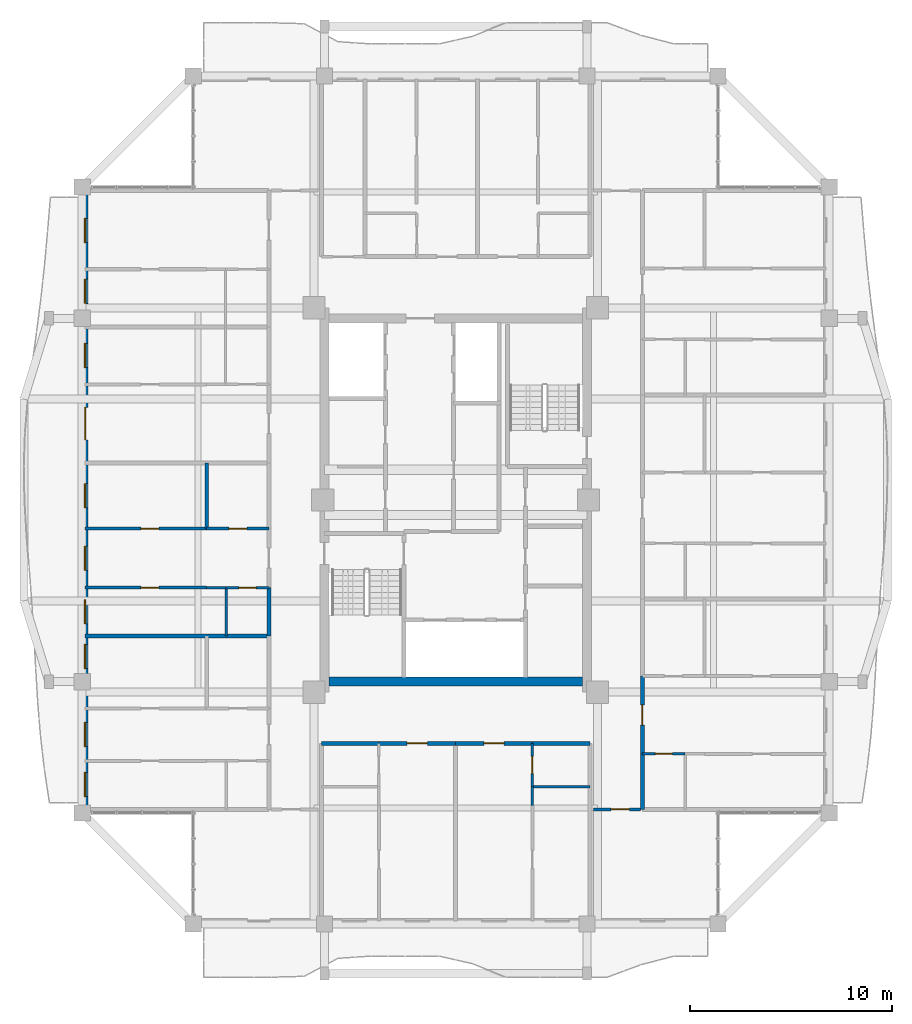
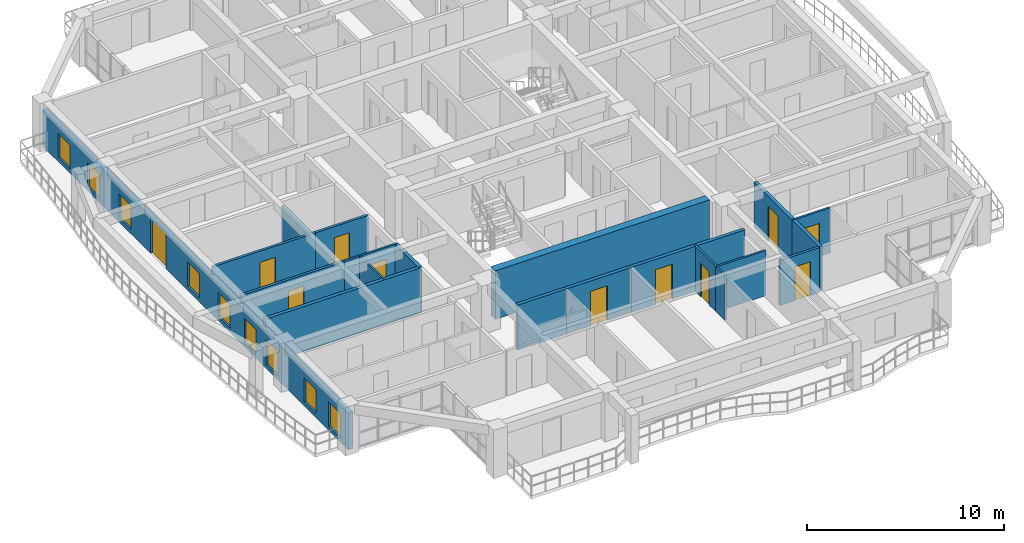
# One storey, part 11 of 22: 22 walls, 11 doors, 9 windows, 20 openings.
"""IFC4 building model written with IfcOpenShell, lengths in metres."""

from ifc_helpers import new_model, si_unit, direction, frame, frame_2d, origin, place, context, subcontext, project, spatial, rectangle, extrude, source, transform, mapped, material, layer, layer_set, type_object, element, fill, save


model = new_model("IFC4")

# Units and contexts
model_context = context("Model", 3, precision=1e-05, world=origin(), true_north=direction((0.0, 1.0)))
body_context = subcontext(model_context, "Body", "Model", "MODEL_VIEW")
ifc_project = project(units=[si_unit("LENGTHUNIT", "METRE"), si_unit("AREAUNIT", "SQUARE_METRE"), si_unit("VOLUMEUNIT", "CUBIC_METRE"), si_unit("PLANEANGLEUNIT", "RADIAN"), si_unit("MASSUNIT", "GRAM", prefix="KILO")], contexts=[model_context])

# Site, building, storey
site_placement = place(None, origin())
site = spatial("IfcSite", under=ifc_project, at=site_placement, CompositionType="ELEMENT")
building_placement = place(site_placement, origin())
building = spatial("IfcBuilding", under=site, at=building_placement, Name="Saelheon Loggia Tower", CompositionType="ELEMENT")
storey_placement = place(building_placement, frame((0.0, 0.0, 196.60009765625)))
storey = spatial("IfcBuildingStorey", under=building, at=storey_placement, Name="L61", CompositionType="ELEMENT", Elevation=196.60009765625)

# Wall
ifc_material_1 = material(Name="Concrete C45/55", Category="concrete")
ifc_layer_1 = layer(ifc_material_1, 0.449951171875)
ifc_layer_set_1 = layer_set([ifc_layer_1], Name="Concrete C45/55")
wall_type_1 = type_object("IfcWallType", Name="Wall_CoreShear_450", PredefinedType="SHEAR", material=ifc_layer_set_1)
wall_1_placement = place(storey_placement, frame((31.72509765625, 18.0, 0.0), z_axis=(0.0, 0.0, 1.0), x_axis=(1.0, 0.0, 0.0)))
element("IfcWall", 1, at=wall_1_placement, inside=storey, type_object=wall_type_1, Name="L61 Core Shear Wall South", PredefinedType="SHEAR", context=body_context, shape_type="SweptSolid", body=[
    extrude(rectangle(XDim=12.5498046875, YDim=0.449951171875, at=frame_2d((6.27490234375, 0.0))), origin(), (0.0, 0.0, 1.0), 3.0),
])

# Wall, openings, windows, door
ifc_material_2 = material(Name="Architectural Precast Concrete C40/50", Category="concrete")
ifc_layer_2 = layer(ifc_material_2, 0.280029296875)
ifc_layer_set_2 = layer_set([ifc_layer_2], Name="Architectural Precast Concrete C40/50")
wall_type_2 = type_object("IfcWallType", Name="Wall_Ext_Loggia_280", PredefinedType="SOLIDWALL", material=ifc_layer_set_2)
wall_2_placement = place(storey_placement, frame((19.639892578125, 11.5, 0.0), z_axis=(0.0, 0.0, 1.0), x_axis=(0.0, 1.0, 0.0)))
wall_2 = element("IfcWall", 2, at=wall_2_placement, inside=storey, type_object=wall_type_2, Name="L61 West Loggia Inner Wall", PredefinedType="SOLIDWALL", context=body_context, shape_type="SweptSolid", body=[
    extrude(rectangle(XDim=31.0, YDim=0.280029296875, at=frame_2d((15.5, 0.0))), origin(), (0.0, 0.0, 1.0), 2.27978515625),
])
opening_1_placement = place(wall_2_placement, frame((0.81103515625, 0.0, 0.25)))
opening_1 = element("IfcOpeningElement", 3, at=opening_1_placement, cuts=wall_2, Name="Opening WN-03", PredefinedType="OPENING", context=body_context, shape_type="SweptSolid", body=[
    extrude(rectangle(XDim=1.199951171875, YDim=1.5, at=frame_2d((0.60009765625, 0.75))), frame((0.0, 0.152099609375, 0.0), z_axis=(0.0, -1.0, 0.0), x_axis=(1.0, 0.0, 0.0)), (0.0, 0.0, 1.0), 0.303955078125),
])
opening_2_placement = place(wall_2_placement, frame((3.281005859375, 0.0, 0.25)))
opening_2 = element("IfcOpeningElement", 4, at=opening_2_placement, cuts=wall_2, Name="Opening WN-03", PredefinedType="OPENING", context=body_context, shape_type="SweptSolid", body=[
    extrude(rectangle(XDim=1.199951171875, YDim=1.5, at=frame_2d((0.60009765625, 0.75))), frame((0.0, 0.152099609375, 0.0), z_axis=(0.0, -1.0, 0.0), x_axis=(1.0, 0.0, 0.0)), (0.0, 0.0, 1.0), 0.303955078125),
])
opening_3_placement = place(wall_2_placement, frame((7.149658203125, 0.0, 0.25)))
opening_3 = element("IfcOpeningElement", 5, at=opening_3_placement, cuts=wall_2, Name="Opening WN-03", PredefinedType="OPENING", context=body_context, shape_type="SweptSolid", body=[
    extrude(rectangle(XDim=1.199951171875, YDim=1.5, at=frame_2d((0.60009765625, 0.75))), frame((0.0, 0.152099609375, 0.0), z_axis=(0.0, -1.0, 0.0), x_axis=(1.0, 0.0, 0.0)), (0.0, 0.0, 1.0), 0.303955078125),
])
opening_4_placement = place(wall_2_placement, frame((9.3603515625, 0.0, 0.25)))
opening_4 = element("IfcOpeningElement", 6, at=opening_4_placement, cuts=wall_2, Name="Opening WN-03", PredefinedType="OPENING", context=body_context, shape_type="SweptSolid", body=[
    extrude(rectangle(XDim=1.199951171875, YDim=1.5, at=frame_2d((0.60009765625, 0.75))), frame((0.0, 0.152099609375, 0.0), z_axis=(0.0, -1.0, 0.0), x_axis=(1.0, 0.0, 0.0)), (0.0, 0.0, 1.0), 0.303955078125),
])
opening_5_placement = place(wall_2_placement, frame((12.019775390625, 0.0, 0.25)))
opening_5 = element("IfcOpeningElement", 7, at=opening_5_placement, cuts=wall_2, Name="Opening WN-03", PredefinedType="OPENING", context=body_context, shape_type="SweptSolid", body=[
    extrude(rectangle(XDim=1.199951171875, YDim=1.5, at=frame_2d((0.60009765625, 0.75))), frame((0.0, 0.152099609375, 0.0), z_axis=(0.0, -1.0, 0.0), x_axis=(1.0, 0.0, 0.0)), (0.0, 0.0, 1.0), 0.303955078125),
])
opening_6_placement = place(wall_2_placement, frame((15.1083984375, 0.0, 0.25)))
opening_6 = element("IfcOpeningElement", 8, at=opening_6_placement, cuts=wall_2, Name="Opening WN-03", PredefinedType="OPENING", context=body_context, shape_type="SweptSolid", body=[
    extrude(rectangle(XDim=1.199951171875, YDim=1.5, at=frame_2d((0.60009765625, 0.75))), frame((0.0, 0.152099609375, 0.0), z_axis=(0.0, -1.0, 0.0), x_axis=(1.0, 0.0, 0.0)), (0.0, 0.0, 1.0), 0.303955078125),
])
opening_7_placement = place(wall_2_placement, frame((18.48388671875, 0.0, 0.0)))
opening_7 = element("IfcOpeningElement", 9, at=opening_7_placement, cuts=wall_2, Name="Opening DLG-1", PredefinedType="OPENING", context=body_context, shape_type="SweptSolid", body=[
    extrude(rectangle(XDim=1.60009765625, YDim=2.14990234375, at=frame_2d((0.800048828125, 1.074951171875))), frame((0.0, 0.152099609375, 0.0), z_axis=(0.0, -1.0, 0.0), x_axis=(1.0, 0.0, 0.0)), (0.0, 0.0, 1.0), 0.303955078125),
])
opening_8_placement = place(wall_2_placement, frame((22.05419921875, 0.0, 0.25)))
opening_8 = element("IfcOpeningElement", 10, at=opening_8_placement, cuts=wall_2, Name="Opening WN-03", PredefinedType="OPENING", context=body_context, shape_type="SweptSolid", body=[
    extrude(rectangle(XDim=1.199951171875, YDim=1.5, at=frame_2d((0.60009765625, 0.75))), frame((0.0, 0.152099609375, 0.0), z_axis=(0.0, -1.0, 0.0), x_axis=(1.0, 0.0, 0.0)), (0.0, 0.0, 1.0), 0.303955078125),
])
opening_9_placement = place(wall_2_placement, frame((25.234619140625, 0.0, 0.25)))
opening_9 = element("IfcOpeningElement", 11, at=opening_9_placement, cuts=wall_2, Name="Opening WN-03", PredefinedType="OPENING", context=body_context, shape_type="SweptSolid", body=[
    extrude(rectangle(XDim=1.199951171875, YDim=1.5, at=frame_2d((0.60009765625, 0.75))), frame((0.0, 0.152099609375, 0.0), z_axis=(0.0, -1.0, 0.0), x_axis=(1.0, 0.0, 0.0)), (0.0, 0.0, 1.0), 0.303955078125),
])
opening_10_placement = place(wall_2_placement, frame((28.24462890625, 0.0, 0.25)))
opening_10 = element("IfcOpeningElement", 12, at=opening_10_placement, cuts=wall_2, Name="Opening WN-03", PredefinedType="OPENING", context=body_context, shape_type="SweptSolid", body=[
    extrude(rectangle(XDim=1.199951171875, YDim=1.5, at=frame_2d((0.60009765625, 0.75))), frame((0.0, 0.152099609375, 0.0), z_axis=(0.0, -1.0, 0.0), x_axis=(1.0, 0.0, 0.0)), (0.0, 0.0, 1.0), 0.303955078125),
])
ifc_material_3 = material(Name="Thermal-Break Aluminium and Triple Low-E Glass", Category="aluminium")
window_type = type_object("IfcWindowType", Name="Win_Bedroom_1200x1500", PartitioningType="SINGLE_PANEL", PredefinedType="WINDOW", material=ifc_material_3)
shared_shape_1 = source(origin(), body_context, "Body", "SweptSolid", [
    extrude(rectangle(XDim=1.199951171875, YDim=1.5, at=frame_2d((0.60009765625, 0.75))), frame((0.0, 0.030029296875, 0.0), z_axis=(0.0, -1.0, 0.0), x_axis=(1.0, 0.0, 0.0)), (0.0, 0.0, 1.0), 0.06005859375),
])
window_1_placement = place(opening_1_placement, origin())
window_1 = element("IfcWindow", 13, at=window_1_placement, inside=storey, type_object=window_type, Name="L61 W Dwelling Window 1", OverallHeight=1.5, OverallWidth=1.199951171875, PartitioningType="SINGLE_PANEL", PredefinedType="WINDOW", context=body_context, shape_type="MappedRepresentation", body=[
    mapped(shared_shape_1, transform((0.0, 0.0, 0.0), scale=1.0)),
])
fill(opening_1, window_1)
window_2_placement = place(opening_2_placement, origin())
window_2 = element("IfcWindow", 14, at=window_2_placement, inside=storey, type_object=window_type, Name="L61 W Dwelling Window 2", OverallHeight=1.5, OverallWidth=1.199951171875, PartitioningType="SINGLE_PANEL", PredefinedType="WINDOW", context=body_context, shape_type="MappedRepresentation", body=[
    mapped(shared_shape_1, transform((0.0, 0.0, 0.0), scale=1.0)),
])
fill(opening_2, window_2)
window_3_placement = place(opening_3_placement, origin())
window_3 = element("IfcWindow", 15, at=window_3_placement, inside=storey, type_object=window_type, Name="L61 W Dwelling Window 3", OverallHeight=1.5, OverallWidth=1.199951171875, PartitioningType="SINGLE_PANEL", PredefinedType="WINDOW", context=body_context, shape_type="MappedRepresentation", body=[
    mapped(shared_shape_1, transform((0.0, 0.0, 0.0), scale=1.0)),
])
fill(opening_3, window_3)
window_4_placement = place(opening_4_placement, origin())
window_4 = element("IfcWindow", 16, at=window_4_placement, inside=storey, type_object=window_type, Name="L61 W Dwelling Window 4", OverallHeight=1.5, OverallWidth=1.199951171875, PartitioningType="SINGLE_PANEL", PredefinedType="WINDOW", context=body_context, shape_type="MappedRepresentation", body=[
    mapped(shared_shape_1, transform((0.0, 0.0, 0.0), scale=1.0)),
])
fill(opening_4, window_4)
window_5_placement = place(opening_5_placement, origin())
window_5 = element("IfcWindow", 17, at=window_5_placement, inside=storey, type_object=window_type, Name="L61 W Dwelling Window 5", OverallHeight=1.5, OverallWidth=1.199951171875, PartitioningType="SINGLE_PANEL", PredefinedType="WINDOW", context=body_context, shape_type="MappedRepresentation", body=[
    mapped(shared_shape_1, transform((0.0, 0.0, 0.0), scale=1.0)),
])
fill(opening_5, window_5)
window_6_placement = place(opening_6_placement, origin())
window_6 = element("IfcWindow", 18, at=window_6_placement, inside=storey, type_object=window_type, Name="L61 W Dwelling Window 6", OverallHeight=1.5, OverallWidth=1.199951171875, PartitioningType="SINGLE_PANEL", PredefinedType="WINDOW", context=body_context, shape_type="MappedRepresentation", body=[
    mapped(shared_shape_1, transform((0.0, 0.0, 0.0), scale=1.0)),
])
fill(opening_6, window_6)
window_7_placement = place(opening_8_placement, origin())
window_7 = element("IfcWindow", 19, at=window_7_placement, inside=storey, type_object=window_type, Name="L61 W Dwelling Window 8", OverallHeight=1.5, OverallWidth=1.199951171875, PartitioningType="SINGLE_PANEL", PredefinedType="WINDOW", context=body_context, shape_type="MappedRepresentation", body=[
    mapped(shared_shape_1, transform((0.0, 0.0, 0.0), scale=1.0)),
])
fill(opening_8, window_7)
window_8_placement = place(opening_9_placement, origin())
window_8 = element("IfcWindow", 20, at=window_8_placement, inside=storey, type_object=window_type, Name="L61 W Dwelling Window 9", OverallHeight=1.5, OverallWidth=1.199951171875, PartitioningType="SINGLE_PANEL", PredefinedType="WINDOW", context=body_context, shape_type="MappedRepresentation", body=[
    mapped(shared_shape_1, transform((0.0, 0.0, 0.0), scale=1.0)),
])
fill(opening_9, window_8)
window_9_placement = place(opening_10_placement, origin())
window_9 = element("IfcWindow", 21, at=window_9_placement, inside=storey, type_object=window_type, Name="L61 W Dwelling Window 10", OverallHeight=1.5, OverallWidth=1.199951171875, PartitioningType="SINGLE_PANEL", PredefinedType="WINDOW", context=body_context, shape_type="MappedRepresentation", body=[
    mapped(shared_shape_1, transform((0.0, 0.0, 0.0), scale=1.0)),
])
fill(opening_10, window_9)
ifc_material_4 = material(Name="Thermal-Break Aluminium Sliding Glazed Door", Category="aluminium")
door_type_1 = type_object("IfcDoorType", Name="Door_LoggiaSlide_1600", OperationType="SLIDING_TO_LEFT", PredefinedType="DOOR", material=ifc_material_4)
shared_shape_2 = source(origin(), body_context, "Body", "SweptSolid", [
    extrude(rectangle(XDim=1.60009765625, YDim=2.14990234375, at=frame_2d((0.800048828125, 1.074951171875))), frame((0.0, 0.02490234375, 0.0), z_axis=(0.0, -1.0, 0.0), x_axis=(1.0, 0.0, 0.0)), (0.0, 0.0, 1.0), 0.050048828125),
])
door_1_placement = place(opening_7_placement, origin())
door_1 = element("IfcDoor", 22, at=door_1_placement, inside=storey, type_object=door_type_1, Name="L61 W Loggia Access Door", OperationType="SLIDING_TO_LEFT", OverallHeight=2.14990234375, OverallWidth=1.60009765625, PredefinedType="DOOR", context=body_context, shape_type="MappedRepresentation", body=[
    mapped(shared_shape_2, transform((0.0, 0.0, 0.0), scale=1.0)),
])
fill(opening_7, door_1)

# Wall, opening, door
ifc_material_5 = material(Name="Lightweight Autoclaved Aerated Concrete Block and Acoustic Gypsum", Category="concrete")
ifc_layer_3 = layer(ifc_material_5, 0.14990234375)
ifc_layer_set_3 = layer_set([ifc_layer_3], Name="Lightweight Autoclaved Aerated Concrete Block and Acoustic Gypsum")
wall_type_3 = type_object("IfcWallType", Name="Wall_Part_150", PredefinedType="PARTITIONING", material=ifc_layer_set_3)
wall_3_placement = place(storey_placement, frame((44.820068359375, 11.679931640625, 0.0), z_axis=(0.0, 0.0, 1.0), x_axis=(1.0, 0.0, 0.0)))
wall_3 = element("IfcWall", 23, at=wall_3_placement, inside=storey, type_object=wall_type_3, Name="PW-L61-CSE-H", PredefinedType="PARTITIONING", context=body_context, shape_type="SweptSolid", body=[
    extrude(rectangle(XDim=2.329833984375, YDim=0.14990234375, at=frame_2d((1.1650390625, 0.0))), origin(), (0.0, 0.0, 1.0), 2.789794921875),
])
opening_11_placement = place(wall_3_placement, frame((0.8798828125, 0.0, 0.0)))
opening_11 = element("IfcOpeningElement", 24, at=opening_11_placement, cuts=wall_3, Name="Opening D-IN2", PredefinedType="OPENING", context=body_context, shape_type="SweptSolid", body=[
    extrude(rectangle(XDim=0.89990234375, YDim=2.10009765625, at=frame_2d((0.449951171875, 1.050048828125))), frame((0.0, 0.0869140625, 0.0), z_axis=(0.0, -1.0, 0.0), x_axis=(1.0, 0.0, 0.0)), (0.0, 0.0, 1.0), 0.173828125),
])
ifc_material_6 = material(Name="Engineered Oak Flush Door", Category="timber")
door_type_2 = type_object("IfcDoorType", Name="Door_Int_900", OperationType="NOTDEFINED", PredefinedType="DOOR", material=ifc_material_6)
shared_shape_3 = source(origin(), body_context, "Body", "SweptSolid", [
    extrude(rectangle(XDim=0.89990234375, YDim=2.10009765625, at=frame_2d((0.449951171875, 1.050048828125))), frame((0.0, 0.02490234375, 0.0), z_axis=(0.0, -1.0, 0.0), x_axis=(1.0, 0.0, 0.0)), (0.0, 0.0, 1.0), 0.050048828125),
])
door_2_placement = place(opening_11_placement, origin())
door_2 = element("IfcDoor", 25, at=door_2_placement, inside=storey, type_object=door_type_2, Name="L61 Corner Reading Room SE Door", OperationType="SINGLE_SWING_RIGHT", OverallHeight=2.10009765625, OverallWidth=0.89990234375, PredefinedType="DOOR", context=body_context, shape_type="MappedRepresentation", body=[
    mapped(shared_shape_3, transform((0.0, 0.0, 0.0), scale=1.0)),
])
fill(opening_11, door_2)

# Wall
wall_4_placement = place(storey_placement, frame((25.669921875, 25.578369140625, 0.0), z_axis=(0.0, 0.0, 1.0), x_axis=(0.0, 1.0, 0.0)))
element("IfcWall", 26, at=wall_4_placement, inside=storey, type_object=wall_type_3, Name="L61 W Partition V18", PredefinedType="PARTITIONING", context=body_context, shape_type="SweptSolid", body=[
    extrude(rectangle(XDim=3.260009765625, YDim=0.14990234375, at=frame_2d((1.6298828125, 0.0))), origin(), (0.0, 0.0, 1.0), 2.489990234375),
])

# Wall, opening, door
wall_5_placement = place(storey_placement, frame((25.669921875, 22.661376953125, 0.0), z_axis=(0.0, 0.0, 1.0), x_axis=(-1.0, 0.0, 0.0)))
wall_5 = element("IfcWall", 27, at=wall_5_placement, inside=storey, type_object=wall_type_3, Name="L61 W Partition U21", PredefinedType="PARTITIONING", context=body_context, shape_type="SweptSolid", body=[
    extrude(rectangle(XDim=6.02001953125, YDim=0.14990234375, at=frame_2d((3.010009765625, 0.0))), origin(), (0.0, 0.0, 1.0), 2.789794921875),
])
opening_12_placement = place(wall_5_placement, frame((2.36669921875, 0.0, 0.0)))
opening_12 = element("IfcOpeningElement", 28, at=opening_12_placement, cuts=wall_5, Name="Opening D-IN2", PredefinedType="OPENING", context=body_context, shape_type="SweptSolid", body=[
    extrude(rectangle(XDim=0.89990234375, YDim=2.10009765625, at=frame_2d((0.449951171875, 1.050048828125))), frame((0.0, 0.0869140625, 0.0), z_axis=(0.0, -1.0, 0.0), x_axis=(1.0, 0.0, 0.0)), (0.0, 0.0, 1.0), 0.173828125),
])
door_3_placement = place(opening_12_placement, origin())
door_3 = element("IfcDoor", 29, at=door_3_placement, inside=storey, type_object=door_type_2, Name="Unit U06 Kitchen Door", OperationType="SINGLE_SWING_RIGHT", OverallHeight=2.10009765625, OverallWidth=0.89990234375, PredefinedType="DOOR", context=body_context, shape_type="MappedRepresentation", body=[
    mapped(shared_shape_3, transform((0.0, 0.0, 0.0), scale=1.0)),
])
fill(opening_12, door_3)

wall_6_placement = place(storey_placement, frame((28.75, 25.578369140625, 0.0), z_axis=(0.0, 0.0, 1.0), x_axis=(-1.0, 0.0, 0.0)))
wall_6 = element("IfcWall", 30, at=wall_6_placement, inside=storey, type_object=wall_type_3, Name="L61 W Partition U22", PredefinedType="PARTITIONING", context=body_context, shape_type="SweptSolid", body=[
    extrude(rectangle(XDim=3.080078125, YDim=0.14990234375, at=frame_2d((1.5400390625, 0.0))), origin(), (0.0, 0.0, 1.0), 2.789794921875),
])
opening_13_placement = place(wall_6_placement, frame((1.090087890625, 0.0, 0.0)))
opening_13 = element("IfcOpeningElement", 31, at=opening_13_placement, cuts=wall_6, Name="Opening D-IN2", PredefinedType="OPENING", context=body_context, shape_type="SweptSolid", body=[
    extrude(rectangle(XDim=0.89990234375, YDim=2.10009765625, at=frame_2d((0.449951171875, 1.050048828125))), frame((0.0, 0.0869140625, 0.0), z_axis=(0.0, -1.0, 0.0), x_axis=(1.0, 0.0, 0.0)), (0.0, 0.0, 1.0), 0.173828125),
])
door_4_placement = place(opening_13_placement, origin())
door_4 = element("IfcDoor", 32, at=door_4_placement, inside=storey, type_object=door_type_2, Name="Unit U06 Dressing Closet Door", OperationType="SINGLE_SWING_LEFT", OverallHeight=2.10009765625, OverallWidth=0.89990234375, PredefinedType="DOOR", context=body_context, shape_type="MappedRepresentation", body=[
    mapped(shared_shape_3, transform((0.0, 0.0, 0.0), scale=1.0)),
])
fill(opening_13, door_4)

wall_7_placement = place(storey_placement, frame((25.669921875, 25.578369140625, 0.0), z_axis=(0.0, 0.0, 1.0), x_axis=(-1.0, 0.0, 0.0)))
wall_7 = element("IfcWall", 33, at=wall_7_placement, inside=storey, type_object=wall_type_3, Name="L61 W Partition U23", PredefinedType="PARTITIONING", context=body_context, shape_type="SweptSolid", body=[
    extrude(rectangle(XDim=6.02001953125, YDim=0.14990234375, at=frame_2d((3.010009765625, 0.0))), origin(), (0.0, 0.0, 1.0), 2.789794921875),
])
opening_14_placement = place(wall_7_placement, frame((2.36669921875, 0.0, 0.0)))
opening_14 = element("IfcOpeningElement", 34, at=opening_14_placement, cuts=wall_7, Name="Opening D-IN2", PredefinedType="OPENING", context=body_context, shape_type="SweptSolid", body=[
    extrude(rectangle(XDim=0.89990234375, YDim=2.10009765625, at=frame_2d((0.449951171875, 1.050048828125))), frame((0.0, 0.0869140625, 0.0), z_axis=(0.0, -1.0, 0.0), x_axis=(1.0, 0.0, 0.0)), (0.0, 0.0, 1.0), 0.173828125),
])
door_5_placement = place(opening_14_placement, origin())
door_5 = element("IfcDoor", 35, at=door_5_placement, inside=storey, type_object=door_type_2, Name="Unit U06 Bedroom 1 Door", OperationType="SINGLE_SWING_RIGHT", OverallHeight=2.10009765625, OverallWidth=0.89990234375, PredefinedType="DOOR", context=body_context, shape_type="MappedRepresentation", body=[
    mapped(shared_shape_3, transform((0.0, 0.0, 0.0), scale=1.0)),
])
fill(opening_14, door_5)

# Wall
ifc_material_7 = material(Name="Double Acoustic Stud and Fireboard Partition", Category="gypsum")
ifc_layer_4 = layer(ifc_material_7, 0.199951171875)
ifc_layer_set_4 = layer_set([ifc_layer_4], Name="Double Acoustic Stud and Fireboard Partition")
wall_type_4 = type_object("IfcWallType", Name="Wall_Party_200", PredefinedType="PARTITIONING", material=ifc_layer_set_4)
wall_8_placement = place(storey_placement, frame((31.35009765625, 14.949951171875, 0.0), z_axis=(0.0, 0.0, 1.0), x_axis=(1.0, 0.0, 0.0)))
element("IfcWall", 36, at=wall_8_placement, inside=storey, type_object=wall_type_4, Name="L61 S Partition V03", PredefinedType="PARTITIONING", context=body_context, shape_type="SweptSolid", body=[
    extrude(rectangle(XDim=2.849853515625, YDim=0.199951171875, at=frame_2d((1.4248046875, 0.0))), origin(), (0.0, 0.0, 1.0), 2.789794921875),
])

# Wall, opening, door
wall_9_placement = place(storey_placement, frame((34.199951171875, 14.949951171875, 0.0), z_axis=(0.0, 0.0, 1.0), x_axis=(1.0, 0.0, 0.0)))
wall_9 = element("IfcWall", 37, at=wall_9_placement, inside=storey, type_object=wall_type_4, Name="L61 S Partition V04", PredefinedType="PARTITIONING", context=body_context, shape_type="SweptSolid", body=[
    extrude(rectangle(XDim=3.800048828125, YDim=0.199951171875, at=frame_2d((1.89990234375, 0.0))), origin(), (0.0, 0.0, 1.0), 2.789794921875),
])
opening_15_placement = place(wall_9_placement, frame((1.39990234375, 0.0, 0.0)))
opening_15 = element("IfcOpeningElement", 38, at=opening_15_placement, cuts=wall_9, Name="Opening D-FD1", PredefinedType="OPENING", context=body_context, shape_type="SweptSolid", body=[
    extrude(rectangle(XDim=1.0, YDim=2.14990234375, at=frame_2d((0.5, 1.074951171875))), frame((0.0, 0.112060546875, 0.0), z_axis=(0.0, -1.0, 0.0), x_axis=(1.0, 0.0, 0.0)), (0.0, 0.0, 1.0), 0.223876953125),
])
ifc_material_8 = material(Name="Fire-Rated Engineered Timber Entrance Door", Category="wood")
door_type_3 = type_object("IfcDoorType", Name="Door_Flat_FD30S", OperationType="NOTDEFINED", PredefinedType="DOOR", material=ifc_material_8)
shared_shape_4 = source(origin(), body_context, "Body", "SweptSolid", [
    extrude(rectangle(XDim=1.0, YDim=2.14990234375, at=frame_2d((0.5, 1.074951171875))), frame((0.0, 0.02490234375, 0.0), z_axis=(0.0, -1.0, 0.0), x_axis=(1.0, 0.0, 0.0)), (0.0, 0.0, 1.0), 0.050048828125),
])
door_6_placement = place(opening_15_placement, origin())
door_6 = element("IfcDoor", 39, at=door_6_placement, inside=storey, type_object=door_type_3, Name="Unit U01 Entrance Door", OperationType="SINGLE_SWING_RIGHT", OverallHeight=2.14990234375, OverallWidth=1.0, PredefinedType="DOOR", context=body_context, shape_type="MappedRepresentation", body=[
    mapped(shared_shape_4, transform((0.0, 0.0, 0.0), scale=1.0)),
])
fill(opening_15, door_6)

wall_10_placement = place(storey_placement, frame((38.0, 14.949951171875, 0.0), z_axis=(0.0, 0.0, 1.0), x_axis=(1.0, 0.0, 0.0)))
wall_10 = element("IfcWall", 40, at=wall_10_placement, inside=storey, type_object=wall_type_4, Name="L61 S Partition V10", PredefinedType="PARTITIONING", context=body_context, shape_type="SweptSolid", body=[
    extrude(rectangle(XDim=3.800048828125, YDim=0.199951171875, at=frame_2d((1.89990234375, 0.0))), origin(), (0.0, 0.0, 1.0), 2.789794921875),
])
opening_16_placement = place(wall_10_placement, frame((1.39990234375, 0.0, 0.0)))
opening_16 = element("IfcOpeningElement", 41, at=opening_16_placement, cuts=wall_10, Name="Opening D-FD1", PredefinedType="OPENING", context=body_context, shape_type="SweptSolid", body=[
    extrude(rectangle(XDim=1.0, YDim=2.14990234375, at=frame_2d((0.5, 1.074951171875))), frame((0.0, 0.112060546875, 0.0), z_axis=(0.0, -1.0, 0.0), x_axis=(1.0, 0.0, 0.0)), (0.0, 0.0, 1.0), 0.223876953125),
])
door_7_placement = place(opening_16_placement, origin())
door_7 = element("IfcDoor", 42, at=door_7_placement, inside=storey, type_object=door_type_3, Name="Unit U02 Entrance Door", OperationType="SINGLE_SWING_LEFT", OverallHeight=2.14990234375, OverallWidth=1.0, PredefinedType="DOOR", context=body_context, shape_type="MappedRepresentation", body=[
    mapped(shared_shape_4, transform((0.0, 0.0, 0.0), scale=1.0)),
])
fill(opening_16, door_7)

# Walls
wall_11_placement = place(storey_placement, frame((41.800048828125, 14.949951171875, 0.0), z_axis=(0.0, 0.0, 1.0), x_axis=(1.0, 0.0, 0.0)))
element("IfcWall", 43, at=wall_11_placement, inside=storey, type_object=wall_type_4, Name="L61 S Partition V11", PredefinedType="PARTITIONING", context=body_context, shape_type="SweptSolid", body=[
    extrude(rectangle(XDim=2.849853515625, YDim=0.199951171875, at=frame_2d((1.4248046875, 0.0))), origin(), (0.0, 0.0, 1.0), 2.789794921875),
])
wall_12_placement = place(storey_placement, frame((28.75, 20.25927734375, 0.0), z_axis=(0.0, 0.0, 1.0), x_axis=(-1.0, 0.0, 0.0)))
element("IfcWall", 44, at=wall_12_placement, inside=storey, type_object=wall_type_4, Name="L61 W Partition U13", PredefinedType="PARTITIONING", context=body_context, shape_type="SweptSolid", body=[
    extrude(rectangle(XDim=9.10009765625, YDim=0.199951171875, at=frame_2d((4.550048828125, 0.0))), origin(), (0.0, 0.0, 1.0), 2.789794921875),
])
wall_13_placement = place(storey_placement, frame((28.75, 20.25927734375, 0.0), z_axis=(0.0, 0.0, 1.0), x_axis=(0.0, 1.0, 0.0)))
element("IfcWall", 45, at=wall_13_placement, inside=storey, type_object=wall_type_4, Name="L61 W Partition V14", PredefinedType="PARTITIONING", context=body_context, shape_type="SweptSolid", body=[
    extrude(rectangle(XDim=2.402099609375, YDim=0.199951171875, at=frame_2d((1.201171875, 0.0))), origin(), (0.0, 0.0, 1.0), 2.789794921875),
])
wall_14_placement = place(storey_placement, frame((47.25, 11.679931640625, 0.0), z_axis=(0.0, 0.0, 1.0), x_axis=(0.0, 1.0, 0.0)))
element("IfcWall", 46, at=wall_14_placement, inside=storey, type_object=wall_type_4, Name="L61 E Partition V03", PredefinedType="PARTITIONING", context=body_context, shape_type="SweptSolid", body=[
    extrude(rectangle(XDim=2.75, YDim=0.199951171875, at=frame_2d((1.375, 0.0))), origin(), (0.0, 0.0, 1.0), 2.789794921875),
])

# Wall, opening, door
wall_15_placement = place(storey_placement, frame((47.25, 14.429931640625, 0.0), z_axis=(0.0, 0.0, 1.0), x_axis=(0.0, 1.0, 0.0)))
wall_15 = element("IfcWall", 47, at=wall_15_placement, inside=storey, type_object=wall_type_4, Name="L61 E Partition V04", PredefinedType="PARTITIONING", context=body_context, shape_type="SweptSolid", body=[
    extrude(rectangle(XDim=3.85009765625, YDim=0.199951171875, at=frame_2d((1.925048828125, 0.0))), origin(), (0.0, 0.0, 1.0), 2.789794921875),
])
opening_17_placement = place(wall_15_placement, frame((1.425048828125, 0.0, 0.0)))
opening_17 = element("IfcOpeningElement", 48, at=opening_17_placement, cuts=wall_15, Name="Opening D-FD1", PredefinedType="OPENING", context=body_context, shape_type="SweptSolid", body=[
    extrude(rectangle(XDim=1.0, YDim=2.14990234375, at=frame_2d((0.5, 1.074951171875))), frame((0.0, 0.112060546875, 0.0), z_axis=(0.0, -1.0, 0.0), x_axis=(1.0, 0.0, 0.0)), (0.0, 0.0, 1.0), 0.223876953125),
])
door_8_placement = place(opening_17_placement, origin())
door_8 = element("IfcDoor", 49, at=door_8_placement, inside=storey, type_object=door_type_3, Name="Unit U09 Entrance Door", OperationType="SINGLE_SWING_LEFT", OverallHeight=2.14990234375, OverallWidth=1.0, PredefinedType="DOOR", context=body_context, shape_type="MappedRepresentation", body=[
    mapped(shared_shape_4, transform((0.0, 0.0, 0.0), scale=1.0)),
])
fill(opening_17, door_8)

ifc_material_9 = material(Name="Moisture-Resistant Cement Board Partition", Category="gypsum")
ifc_layer_5 = layer(ifc_material_9, 0.1201171875)
ifc_layer_set_5 = layer_set([ifc_layer_5], Name="Moisture-Resistant Cement Board Partition")
wall_type_5 = type_object("IfcWallType", Name="Wall_WetPart_120", PredefinedType="PARTITIONING", material=ifc_layer_set_5)
wall_16_placement = place(storey_placement, frame((41.800048828125, 14.949951171875, 0.0), z_axis=(0.0, 0.0, 1.0), x_axis=(0.0, -1.0, 0.0)))
wall_16 = element("IfcWall", 50, at=wall_16_placement, inside=storey, type_object=wall_type_5, Name="L61 S Partition U12", PredefinedType="PARTITIONING", context=body_context, shape_type="SweptSolid", body=[
    extrude(rectangle(XDim=2.14990234375, YDim=0.1201171875, at=frame_2d((1.074951171875, 0.0))), origin(), (0.0, 0.0, 1.0), 2.789794921875),
])
opening_18_placement = place(wall_16_placement, frame((0.64990234375, 0.0, 0.0)))
opening_18 = element("IfcOpeningElement", 51, at=opening_18_placement, cuts=wall_16, Name="Opening D-BT1", PredefinedType="OPENING", context=body_context, shape_type="SweptSolid", body=[
    extrude(rectangle(XDim=0.85009765625, YDim=2.050048828125, at=frame_2d((0.425048828125, 1.02490234375))), frame((0.0, 0.072021484375, 0.0), z_axis=(0.0, -1.0, 0.0), x_axis=(1.0, 0.0, 0.0)), (0.0, 0.0, 1.0), 0.14404296875),
])
ifc_material_10 = material(Name="Moisture-Resistant Laminate Timber Door", Category="wood")
door_type_4 = type_object("IfcDoorType", Name="Door_Bath_850", OperationType="NOTDEFINED", PredefinedType="DOOR", material=ifc_material_10)
shared_shape_5 = source(origin(), body_context, "Body", "SweptSolid", [
    extrude(rectangle(XDim=0.85009765625, YDim=2.050048828125, at=frame_2d((0.425048828125, 1.02490234375))), frame((0.0, 0.02490234375, 0.0), z_axis=(0.0, -1.0, 0.0), x_axis=(1.0, 0.0, 0.0)), (0.0, 0.0, 1.0), 0.050048828125),
])
door_9_placement = place(opening_18_placement, origin())
door_9 = element("IfcDoor", 52, at=door_9_placement, inside=storey, type_object=door_type_4, Name="Unit U02 Bathroom Door", OperationType="SINGLE_SWING_RIGHT", OverallHeight=2.050048828125, OverallWidth=0.85009765625, PredefinedType="DOOR", context=body_context, shape_type="MappedRepresentation", body=[
    mapped(shared_shape_5, transform((0.0, 0.0, 0.0), scale=1.0)),
])
fill(opening_18, door_9)

# Walls
wall_17_placement = place(storey_placement, frame((41.800048828125, 12.800048828125, 0.0), z_axis=(0.0, 0.0, 1.0), x_axis=(0.0, -1.0, 0.0)))
element("IfcWall", 53, at=wall_17_placement, inside=storey, type_object=wall_type_5, Name="L61 S Partition U13", PredefinedType="PARTITIONING", context=body_context, shape_type="SweptSolid", body=[
    extrude(rectangle(XDim=0.929931640625, YDim=0.1201171875, at=frame_2d((0.46484375, 0.0))), origin(), (0.0, 0.0, 1.0), 2.789794921875),
])
wall_18_placement = place(storey_placement, frame((41.800048828125, 12.800048828125, 0.0), z_axis=(0.0, 0.0, 1.0), x_axis=(1.0, 0.0, 0.0)))
element("IfcWall", 54, at=wall_18_placement, inside=storey, type_object=wall_type_5, Name="L61 S Partition V14", PredefinedType="PARTITIONING", context=body_context, shape_type="SweptSolid", body=[
    extrude(rectangle(XDim=2.849853515625, YDim=0.1201171875, at=frame_2d((1.4248046875, 0.0))), origin(), (0.0, 0.0, 1.0), 2.789794921875),
])
wall_19_placement = place(storey_placement, frame((26.6298828125, 20.25927734375, 0.0), z_axis=(0.0, 0.0, 1.0), x_axis=(0.0, 1.0, 0.0)))
element("IfcWall", 55, at=wall_19_placement, inside=storey, type_object=wall_type_5, Name="L61 W Partition V17", PredefinedType="PARTITIONING", context=body_context, shape_type="SweptSolid", body=[
    extrude(rectangle(XDim=2.402099609375, YDim=0.1201171875, at=frame_2d((1.201171875, 0.0))), origin(), (0.0, 0.0, 1.0), 2.789794921875),
])

# Wall, opening, door
wall_20_placement = place(storey_placement, frame((28.75, 22.661376953125, 0.0), z_axis=(0.0, 0.0, 1.0), x_axis=(-1.0, 0.0, 0.0)))
wall_20 = element("IfcWall", 56, at=wall_20_placement, inside=storey, type_object=wall_type_5, Name="L61 W Partition U19", PredefinedType="PARTITIONING", context=body_context, shape_type="SweptSolid", body=[
    extrude(rectangle(XDim=2.1201171875, YDim=0.1201171875, at=frame_2d((1.06005859375, 0.0))), origin(), (0.0, 0.0, 1.0), 2.789794921875),
])
opening_19_placement = place(wall_20_placement, frame((0.635009765625, 0.0, 0.0)))
opening_19 = element("IfcOpeningElement", 57, at=opening_19_placement, cuts=wall_20, Name="Opening D-BT1", PredefinedType="OPENING", context=body_context, shape_type="SweptSolid", body=[
    extrude(rectangle(XDim=0.85009765625, YDim=2.050048828125, at=frame_2d((0.425048828125, 1.02490234375))), frame((0.0, 0.072021484375, 0.0), z_axis=(0.0, -1.0, 0.0), x_axis=(1.0, 0.0, 0.0)), (0.0, 0.0, 1.0), 0.14404296875),
])
door_10_placement = place(opening_19_placement, origin())
door_10 = element("IfcDoor", 58, at=door_10_placement, inside=storey, type_object=door_type_4, Name="Unit U06 Bathroom Door", OperationType="SINGLE_SWING_LEFT", OverallHeight=2.050048828125, OverallWidth=0.85009765625, PredefinedType="DOOR", context=body_context, shape_type="MappedRepresentation", body=[
    mapped(shared_shape_5, transform((0.0, 0.0, 0.0), scale=1.0)),
])
fill(opening_19, door_10)

# Wall
wall_21_placement = place(storey_placement, frame((26.6298828125, 22.661376953125, 0.0), z_axis=(0.0, 0.0, 1.0), x_axis=(-1.0, 0.0, 0.0)))
element("IfcWall", 59, at=wall_21_placement, inside=storey, type_object=wall_type_5, Name="L61 W Partition U20", PredefinedType="PARTITIONING", context=body_context, shape_type="SweptSolid", body=[
    extrude(rectangle(XDim=0.9599609375, YDim=0.1201171875, at=frame_2d((0.47998046875, 0.0))), origin(), (0.0, 0.0, 1.0), 2.789794921875),
])

# Wall, opening, door
wall_22_placement = place(storey_placement, frame((47.25, 14.429931640625, 0.0), z_axis=(0.0, 0.0, 1.0), x_axis=(1.0, 0.0, 0.0)))
wall_22 = element("IfcWall", 60, at=wall_22_placement, inside=storey, type_object=wall_type_5, Name="L61 E Partition U08", PredefinedType="PARTITIONING", context=body_context, shape_type="SweptSolid", body=[
    extrude(rectangle(XDim=2.1201171875, YDim=0.1201171875, at=frame_2d((1.06005859375, 0.0))), origin(), (0.0, 0.0, 1.0), 2.789794921875),
])
opening_20_placement = place(wall_22_placement, frame((0.635009765625, 0.0, 0.0)))
opening_20 = element("IfcOpeningElement", 61, at=opening_20_placement, cuts=wall_22, Name="Opening D-BT1", PredefinedType="OPENING", context=body_context, shape_type="SweptSolid", body=[
    extrude(rectangle(XDim=0.85009765625, YDim=2.050048828125, at=frame_2d((0.425048828125, 1.02490234375))), frame((0.0, 0.072021484375, 0.0), z_axis=(0.0, -1.0, 0.0), x_axis=(1.0, 0.0, 0.0)), (0.0, 0.0, 1.0), 0.14404296875),
])
door_11_placement = place(opening_20_placement, origin())
door_11 = element("IfcDoor", 62, at=door_11_placement, inside=storey, type_object=door_type_4, Name="Unit U09 Bathroom Door", OperationType="SINGLE_SWING_RIGHT", OverallHeight=2.050048828125, OverallWidth=0.85009765625, PredefinedType="DOOR", context=body_context, shape_type="MappedRepresentation", body=[
    mapped(shared_shape_5, transform((0.0, 0.0, 0.0), scale=1.0)),
])
fill(opening_20, door_11)

save(model, "model.ifc")
